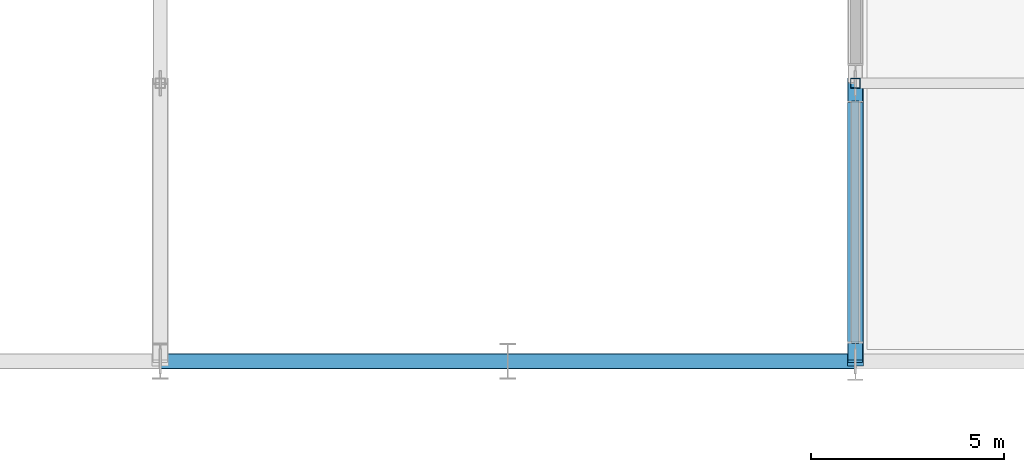
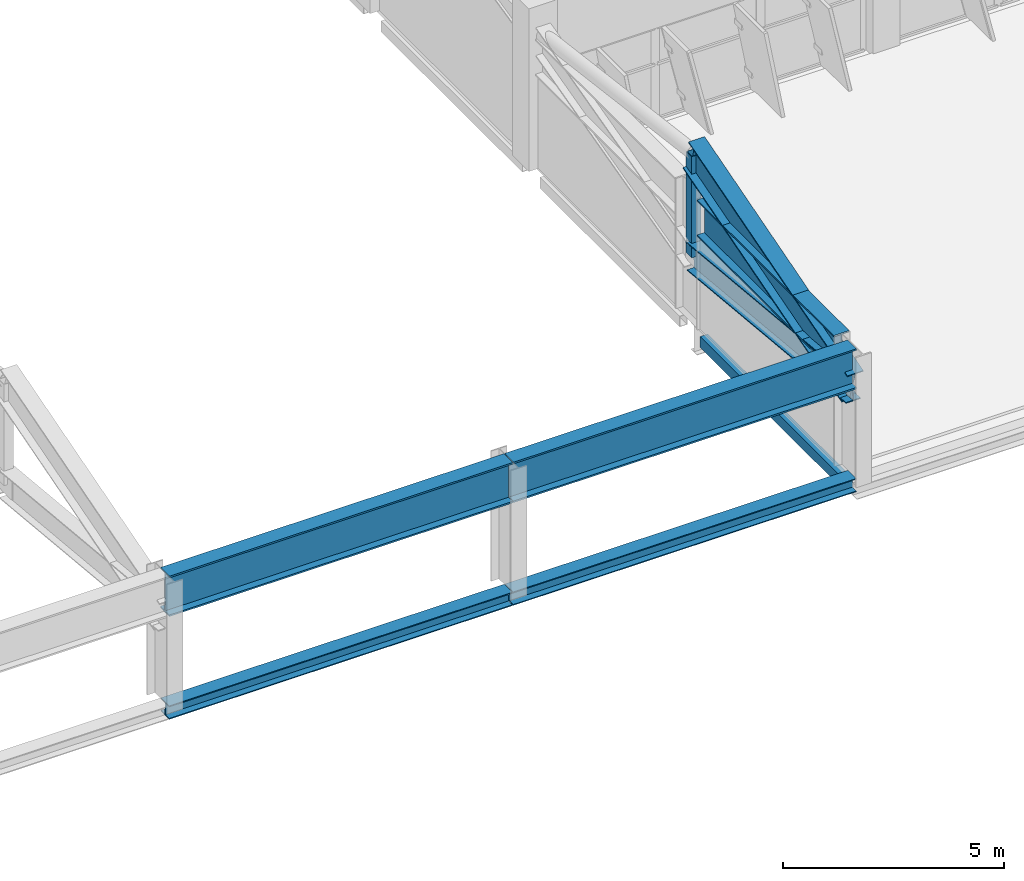
# One storey, part 18 of 151: 6 beams, 3 members.
"""IFC4 building model written with IfcOpenShell, lengths in metres."""

from ifc_helpers import new_model, si_unit, direction, frame, origin, origin_2d, place, context, subcontext, project, spatial, hollow_rectangle, i_section, extrude, material, material_profile, profile_set, type_object, element, save


model = new_model("IFC4")

# Units and contexts
model_context = context("Model", 3, precision=1e-05, world=origin(), true_north=direction((0.0, 1.0)))
body_context = subcontext(model_context, "Body", "Model", "MODEL_VIEW")
ifc_project = project(units=[si_unit("LENGTHUNIT", "METRE"), si_unit("AREAUNIT", "SQUARE_METRE"), si_unit("VOLUMEUNIT", "CUBIC_METRE"), si_unit("PLANEANGLEUNIT", "RADIAN"), si_unit("MASSUNIT", "GRAM", prefix="KILO")], contexts=[model_context])

# Site, building, storey
site_placement = place(None, origin())
site = spatial("IfcSite", under=ifc_project, at=site_placement, CompositionType="ELEMENT")
building_placement = place(site_placement, origin())
building = spatial("IfcBuilding", under=site, at=building_placement, Name="Celestram Park Convention Centre", CompositionType="ELEMENT")
storey_placement = place(building_placement, frame((0.0, 0.0, 10.800048828125)))
storey = spatial("IfcBuildingStorey", under=building, at=storey_placement, Name="L02", CompositionType="ELEMENT", Elevation=10.800048828125)

# Beams
ifc_material_1 = material(Name="Steel ASTM A992 Grade 50", Category="steel")
ifc_material_profile_1 = material_profile(ifc_material_1, i_section(OverallWidth=0.40087890625, OverallDepth=1.010986328125, WebThickness=0.023681640625, FlangeThickness=0.0419921875, at=origin_2d()), Name="W40X297")
ifc_profile_set_1 = profile_set([ifc_material_profile_1], Name="Steel ASTM A992 Grade 50")
beam_type_1 = type_object("IfcBeamType", Name="STR-BM-W40X297", PredefinedType="BEAM", material=ifc_profile_set_1)
beam_1_placement = place(storey_placement, frame((126.0, 22.103515625, 3.094482421875), z_axis=(0.0, 1.0, 0.0), x_axis=(-1.0, 0.0, 0.0)))
element("IfcBeam", 1, at=beam_1_placement, inside=storey, type_object=beam_type_1, Name="Exhibition gable tie girder BG-L02-0402", PredefinedType="BEAM", context=body_context, shape_type="SweptSolid", body=[
    extrude(i_section(OverallWidth=0.40087890625, OverallDepth=1.010986328125, WebThickness=0.023681640625, FlangeThickness=0.0419921875, at=origin_2d()), origin(), (0.0, 0.0, 1.0), 6.19287109375),
])
ifc_material_profile_2 = material_profile(ifc_material_1, i_section(OverallWidth=0.404052734375, OverallDepth=1.117919921875, WebThickness=0.026123046875, FlangeThickness=0.044921875, at=origin_2d()), Name="W44X335")
ifc_profile_set_2 = profile_set([ifc_material_profile_2], Name="Steel ASTM A992 Grade 50")
beam_type_2 = type_object("IfcBeamType", Name="STR-BM-W44X335", PredefinedType="BEAM", material=ifc_profile_set_2)
beam_2_placement = place(storey_placement, frame((108.007568359375, 21.60009765625, 3.041015625), z_axis=(1.0, 0.0, 0.0), x_axis=(0.0, 1.0, 0.0)))
element("IfcBeam", 2, at=beam_2_placement, inside=storey, type_object=beam_type_2, Name="Exhibition eaves tie girder BG-L02-0384", PredefinedType="BEAM", context=body_context, shape_type="SweptSolid", body=[
    extrude(i_section(OverallWidth=0.404052734375, OverallDepth=1.117919921875, WebThickness=0.026123046875, FlangeThickness=0.044921875, at=origin_2d()), origin(), (0.0, 0.0, 1.0), 8.98486328125),
])
beam_3_placement = place(storey_placement, frame((117.007568359375, 21.60009765625, 3.041015625), z_axis=(1.0, 0.0, 0.0), x_axis=(0.0, 1.0, 0.0)))
element("IfcBeam", 3, at=beam_3_placement, inside=storey, type_object=beam_type_2, Name="Exhibition eaves tie girder BG-L02-0385", PredefinedType="BEAM", context=body_context, shape_type="SweptSolid", body=[
    extrude(i_section(OverallWidth=0.404052734375, OverallDepth=1.117919921875, WebThickness=0.026123046875, FlangeThickness=0.044921875, at=origin_2d()), origin(), (0.0, 0.0, 1.0), 8.982666015625),
])

# Members
ifc_material_profile_3 = material_profile(ifc_material_1, i_section(OverallWidth=0.381103515625, OverallDepth=0.77197265625, WebThickness=0.0166015625, FlangeThickness=0.027099609375, at=origin_2d()), Name="W30X173")
ifc_profile_set_3 = profile_set([ifc_material_profile_3], Name="Steel ASTM A992 Grade 50")
member_type_1 = type_object("IfcMemberType", Name="STR-CHD-W30X173", PredefinedType="CHORD", material=ifc_profile_set_3)
member_1_placement = place(storey_placement, frame((126.0, 21.60009765625, 2.428466796875), z_axis=(0.0, 0.995417621099, -0.095623007717), x_axis=(-1.0, 0.0, 0.0)))
element("IfcMember", 4, at=member_1_placement, inside=storey, type_object=member_type_1, Name="V1 arch bottom chord", PredefinedType="CHORD", context=body_context, shape_type="SweptSolid", body=[
    extrude(i_section(OverallWidth=0.381103515625, OverallDepth=0.77197265625, WebThickness=0.0166015625, FlangeThickness=0.027099609375, at=origin_2d()), origin(), (0.0, 0.0, 1.0), 7.233154296875),
])
ifc_material_profile_4 = material_profile(ifc_material_1, i_section(OverallWidth=0.4189453125, OverallDepth=0.927001953125, WebThickness=0.019287109375, FlangeThickness=0.031982421875, at=origin_2d()), Name="W36X231")
ifc_profile_set_4 = profile_set([ifc_material_profile_4], Name="Steel ASTM A992 Grade 50")
member_type_2 = type_object("IfcMemberType", Name="STR-CHD-W36X231", PredefinedType="CHORD", material=ifc_profile_set_4)
member_2_placement = place(storey_placement, frame((126.0, 21.60009765625, 2.428466796875), z_axis=(0.0, 0.959698026141, 0.281033269599), x_axis=(-1.0, 0.0, 0.0)))
element("IfcMember", 5, at=member_2_placement, inside=storey, type_object=member_type_2, Name="V1 arch top chord", PredefinedType="CHORD", context=body_context, shape_type="SweptSolid", body=[
    extrude(i_section(OverallWidth=0.4189453125, OverallDepth=0.927001953125, WebThickness=0.019287109375, FlangeThickness=0.031982421875, at=origin_2d()), origin(), (0.0, 0.0, 1.0), 7.502197265625),
])

# Beams
ifc_material_2 = material(Name="Steel ASTM A500 Grade C", Category="steel")
ifc_material_profile_5 = material_profile(ifc_material_2, hollow_rectangle(XDim=0.199951171875, YDim=0.300048828125, WallThickness=0.011962890625, at=origin_2d()), Name="HSS300X200X12")
ifc_profile_set_5 = profile_set([ifc_material_profile_5], Name="Steel ASTM A500 Grade C")
beam_type_3 = type_object("IfcBeamType", Name="STR-SPN-HSS300X200", PredefinedType="SPANDREL", material=ifc_profile_set_5)
beam_4_placement = place(storey_placement, frame((126.0, 22.06396484375, -0.39013671875), z_axis=(0.0, 1.0, 0.0), x_axis=(-1.0, 0.0, 0.0)))
element("IfcBeam", 6, at=beam_4_placement, inside=storey, type_object=beam_type_3, Name="Primary Y-girder BG-L02-0157", PredefinedType="SPANDREL", context=body_context, shape_type="SweptSolid", body=[
    extrude(hollow_rectangle(XDim=0.199951171875, YDim=0.300048828125, WallThickness=0.011962890625, at=origin_2d()), origin(), (0.0, 0.0, 1.0), 6.27197265625),
])
ifc_material_profile_6 = material_profile(ifc_material_1, i_section(OverallWidth=0.373046875, OverallDepth=0.373046875, WebThickness=0.016357421875, FlangeThickness=0.026123046875, at=origin_2d()), Name="W14X132")
ifc_profile_set_6 = profile_set([ifc_material_profile_6], Name="Steel ASTM A992 Grade 50")
beam_type_4 = type_object("IfcBeamType", Name="STR-SPN-W14X132", PredefinedType="SPANDREL", material=ifc_profile_set_6)
for number, where, z_axis, x_axis, name in (
    (7, (108.010009765625, 21.60009765625, -0.1865234375), (1.0, 0.0, 0.0), (0.0, 1.0, 0.0), "High-bay perimeter spandrel SPB-L02-042"),
    (8, (117.010009765625, 21.60009765625, -0.1865234375), (1.0, 0.0, 0.0), (0.0, 1.0, 0.0), "High-bay perimeter spandrel SPB-L02-043"),
):
    element("IfcBeam", number, at=place(storey_placement, frame(where, z_axis=z_axis, x_axis=x_axis)), inside=storey, type_object=beam_type_4, Name=name, PredefinedType="SPANDREL", context=body_context, shape_type="SweptSolid", body=[
        extrude(i_section(OverallWidth=0.373046875, OverallDepth=0.373046875, WebThickness=0.016357421875, FlangeThickness=0.026123046875, at=origin_2d()), origin(), (0.0, 0.0, 1.0), 8.97998046875),
    ])

# Member
ifc_material_profile_7 = material_profile(ifc_material_2, hollow_rectangle(XDim=0.25, YDim=0.25, WallThickness=0.011962890625, at=origin_2d()), Name="HSS250X250X12")
ifc_profile_set_7 = profile_set([ifc_material_profile_7], Name="Steel ASTM A500 Grade C")
member_type_3 = type_object("IfcMemberType", Name="STR-STR-HSS250", PredefinedType="STRUT", material=ifc_profile_set_7)
member_3_placement = place(storey_placement, frame((126.0, 28.800048828125, 1.73681640625), z_axis=(0.0, 0.0, 1.0), x_axis=(1.0, 0.0, 0.0)))
element("IfcMember", 9, at=member_3_placement, inside=storey, type_object=member_type_3, Name="V1 arch vertical strut", PredefinedType="STRUT", context=body_context, shape_type="SweptSolid", body=[
    extrude(hollow_rectangle(XDim=0.25, YDim=0.25, WallThickness=0.011962890625, at=origin_2d()), origin(), (0.0, 0.0, 1.0), 2.800048828125),
])

save(model, "model.ifc")
